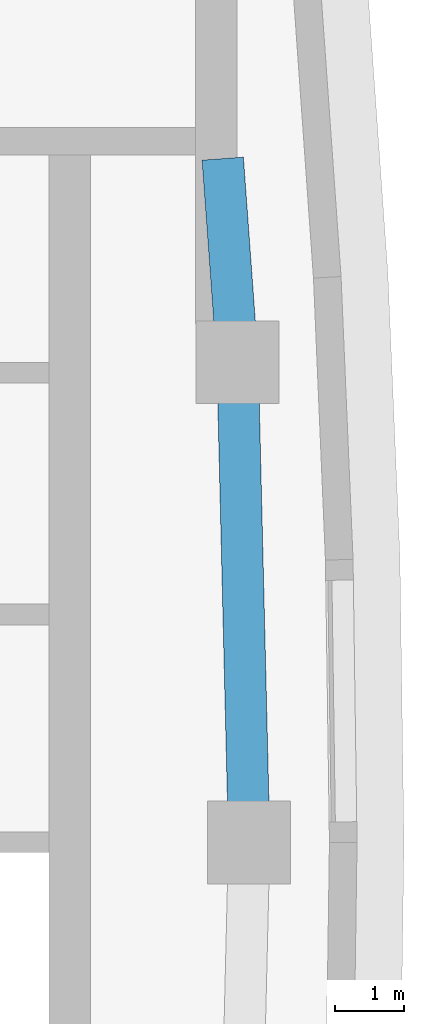
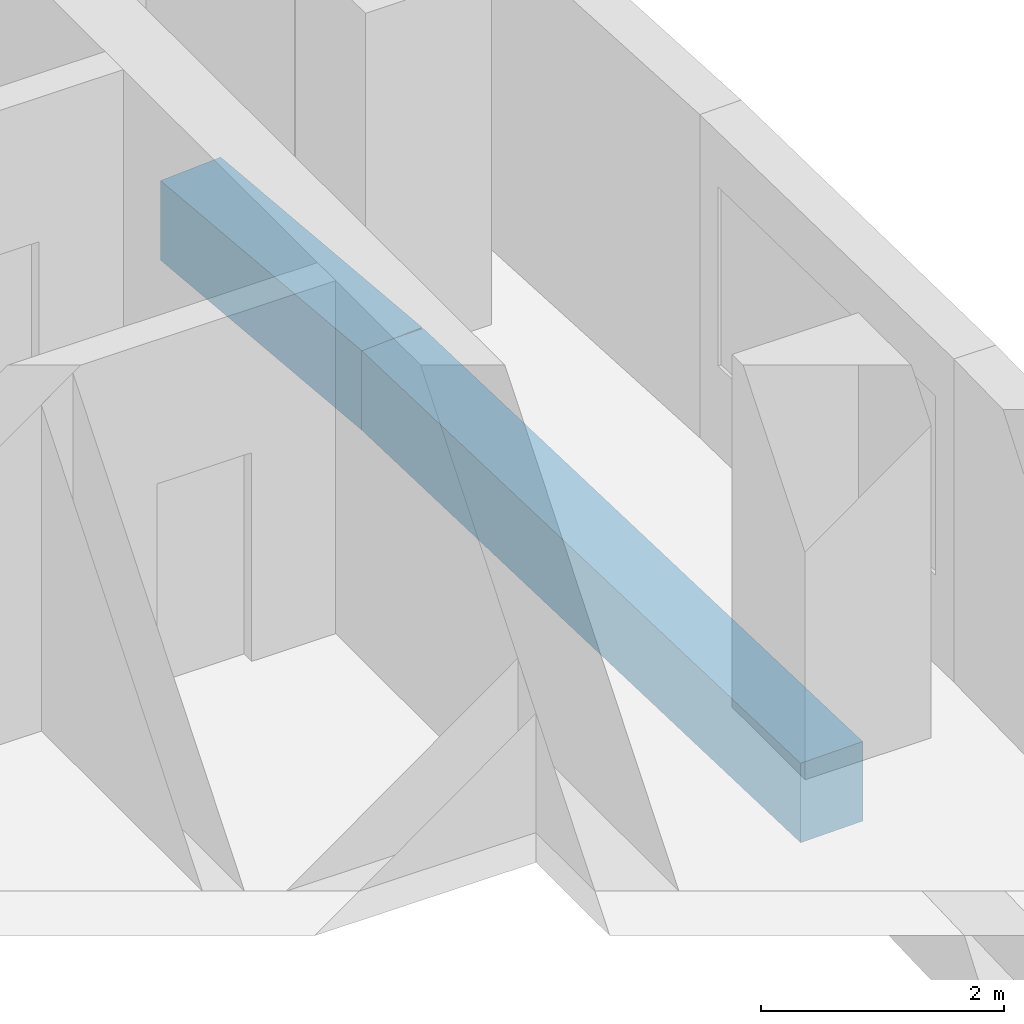
# One storey, part 5 of 15: 2 beams.
"""IFC4 building model written with IfcOpenShell, lengths in metres."""

from ifc_helpers import new_model, si_unit, direction, frame, origin, origin_2d, place, context, subcontext, project, spatial, rectangle, extrude, material, material_profile, profile_set, type_object, element, save


model = new_model("IFC4")

# Units and contexts
model_context = context("Model", 3, precision=1e-05, world=origin(), true_north=direction((0.0, 1.0)))
body_context = subcontext(model_context, "Body", "Model", "MODEL_VIEW")
ifc_project = project(units=[si_unit("LENGTHUNIT", "METRE"), si_unit("AREAUNIT", "SQUARE_METRE"), si_unit("VOLUMEUNIT", "CUBIC_METRE"), si_unit("PLANEANGLEUNIT", "RADIAN"), si_unit("MASSUNIT", "GRAM", prefix="KILO")], contexts=[model_context])

# Site, building, storey
site_placement = place(None, origin())
site = spatial("IfcSite", under=ifc_project, at=site_placement, CompositionType="ELEMENT")
building_placement = place(site_placement, origin())
building = spatial("IfcBuilding", under=site, at=building_placement, Name="Ostrand Prow Hotel Tower", CompositionType="ELEMENT")
storey_placement = place(building_placement, frame((0.0, 0.0, 242.10009765625)))
storey = spatial("IfcBuildingStorey", under=building, at=storey_placement, Name="L61", CompositionType="ELEMENT", Elevation=242.10009765625)

# Beams
ifc_material = material(Name="Concrete C50/60", Category="concrete")
ifc_material_profile = material_profile(ifc_material, rectangle(XDim=0.60009765625, YDim=0.800048828125, at=origin_2d()), Name="RC 600x800")
ifc_profile_set = profile_set([ifc_material_profile], Name="Concrete C50/60")
beam_type = type_object("IfcBeamType", Name="Edge beam 600x800 C50/60", PredefinedType="SPANDREL", material=ifc_profile_set)
beam_1_placement = place(storey_placement, frame((64.5, 0.0, -0.7001953125), z_axis=(-0.024223820991, 0.999706560195, 0.0), x_axis=(-0.999706560195, -0.024223820991, 0.0)))
element("IfcBeam", 1, at=beam_1_placement, inside=storey, type_object=beam_type, Name="Edge beam B3-B4", PredefinedType="SPANDREL", context=body_context, shape_type="SweptSolid", body=[
    extrude(rectangle(XDim=0.60009765625, YDim=0.800048828125, at=origin_2d()), origin(), (0.0, 0.0, 1.0), 6.9541015625),
])
beam_2_placement = place(storey_placement, frame((64.33154296875, 6.9521484375, -0.7001953125), z_axis=(-0.072691068771, 0.997354504938, 0.0), x_axis=(-0.997354504938, -0.072691068771, 0.0)))
element("IfcBeam", 2, at=beam_2_placement, inside=storey, type_object=beam_type, Name="Edge beam B4-B5", PredefinedType="SPANDREL", context=body_context, shape_type="SweptSolid", body=[
    extrude(rectangle(XDim=0.60009765625, YDim=0.800048828125, at=origin_2d()), origin(), (0.0, 0.0, 1.0), 2.95556640625),
])

save(model, "model.ifc")
